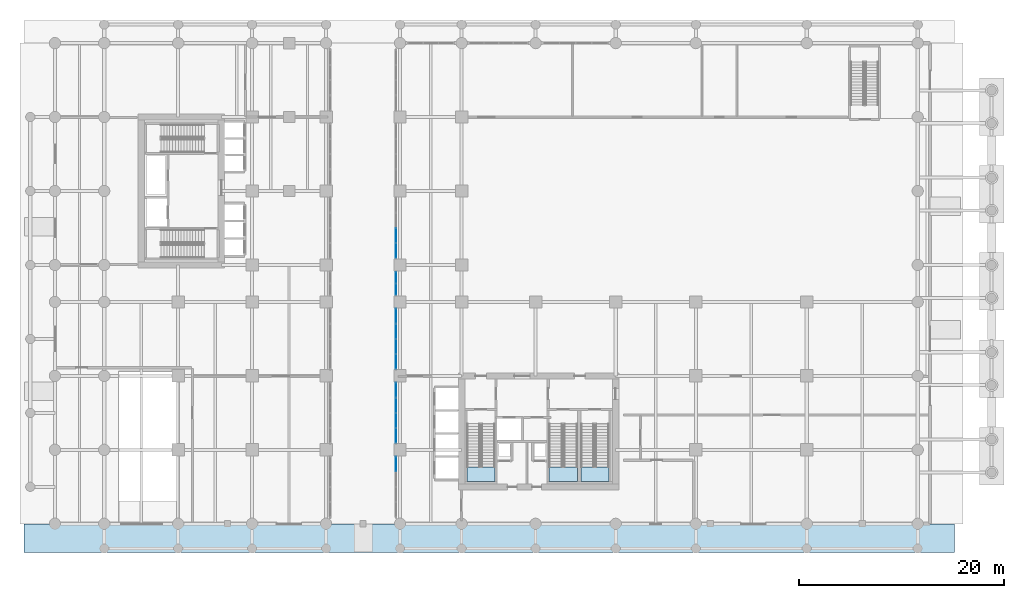
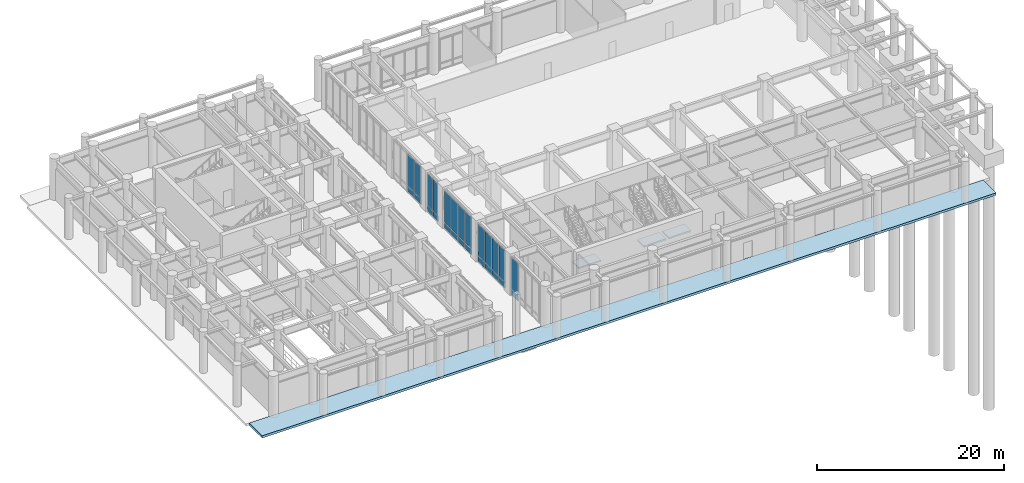
# One storey, part 11 of 23: 26 plates, 4 slabs, 8 elements without a shape of their own.
"""IFC4 building model written with IfcOpenShell, lengths in metres."""

import ifcopenshell
import ifcopenshell.guid

model = None  # the IFC model being written
_history = None  # IfcOwnerHistory: only IFC2X3 demands one
_inside = {}  # id of a spatial element -> (the spatial element, [elements in it])
_under = {}  # id of a project, library or spatial element -> (it, [spatial elements below it])
_declared = {}  # id of a project -> (the project, [libraries it declares])
_typed = {}  # id of a type object -> (the type object, [elements of that type])
_made_of = {}  # id of a material, layer set ... -> (it, [elements and type objects made of it])


def new_model(schema):
    """Start an empty IFC model of exactly this schema.

    Asked for "IFC4X3", IfcOpenShell would pick the latest addendum, in which some entities
    have other attributes; the version numbers below select the first issue.
    IFC2X3 requires an IfcOwnerHistory on every rooted entity: one is made here for all.
    """
    global model, _history
    if schema == "IFC4X3":
        model = ifcopenshell.file(schema_version=(4, 3, 0, 0))
    else:
        model = ifcopenshell.file(schema=schema)
    _inside.clear()
    _under.clear()
    _declared.clear()
    _typed.clear()
    _made_of.clear()
    _history = None
    if model.schema == "IFC2X3":
        org = make("IfcOrganization", Name="unknown")
        user = make(
            "IfcPersonAndOrganization",
            ThePerson=make("IfcPerson", FamilyName="unknown"),
            TheOrganization=org,
        )
        app = make(
            "IfcApplication",
            ApplicationDeveloper=org,
            Version="unknown",
            ApplicationFullName="unknown",
            ApplicationIdentifier="unknown",
        )
        _history = make(
            "IfcOwnerHistory",
            OwningUser=user,
            OwningApplication=app,
            ChangeAction="ADDED",
            CreationDate=0,
        )
    return model


def make(cls, **values):
    """One entity of the class cls with the attributes given. An attribute that is None is left unset."""
    return model.create_entity(
        cls, **{name: value for name, value in values.items() if value is not None}
    )


def rooted(cls, **values):
    """An entity with a GlobalId (a new one), such as an element, a storey or a relation."""
    return make(cls, GlobalId=ifcopenshell.guid.new(), OwnerHistory=_history, **values)


def si_unit(unit_type, name, prefix=None):
    """IfcSIUnit, for example si_unit("LENGTHUNIT", "METRE", prefix="MILLI")."""
    return make("IfcSIUnit", UnitType=unit_type, Prefix=prefix, Name=name)


def derived_unit(unit_type, elements):
    """IfcDerivedUnit: a product of units, each with its exponent."""
    return make(
        "IfcDerivedUnit",
        Elements=[
            make("IfcDerivedUnitElement", Unit=unit, Exponent=power)
            for unit, power in elements
        ],
        UnitType=unit_type,
    )


def assignment(units):
    """IfcUnitAssignment: the units of a project."""
    return None if units is None else make("IfcUnitAssignment", Units=units)


def point(xyz):
    """IfcCartesianPoint."""
    return None if xyz is None else make("IfcCartesianPoint", Coordinates=xyz)


def direction(xyz):
    """IfcDirection."""
    return None if xyz is None else make("IfcDirection", DirectionRatios=xyz)


def frame(location, z_axis=None, x_axis=None):
    """IfcAxis2Placement3D, a coordinate frame: its origin and axes. An axis left out is left unset."""
    return make(
        "IfcAxis2Placement3D",
        Location=point(location),
        Axis=direction(z_axis),
        RefDirection=direction(x_axis),
    )


def frame_2d(location, x_axis=None):
    """IfcAxis2Placement2D, a coordinate frame in the plane: its origin and x axis."""
    return make(
        "IfcAxis2Placement2D", Location=point(location), RefDirection=direction(x_axis)
    )


def origin():
    """The frame at (0, 0, 0) with its axes left unset."""
    return frame((0.0, 0.0, 0.0))


def origin_2d():
    """The frame at (0, 0) in the plane with its x axis left unset."""
    return frame_2d((0.0, 0.0))


def place(relative_to, where):
    """IfcLocalPlacement: puts the frame where relative to a parent placement (None: the world)."""
    return make(
        "IfcLocalPlacement", PlacementRelTo=relative_to, RelativePlacement=where
    )


def context(
    kind, dimensions, precision=None, world=None, true_north=None, identifier=None
):
    """IfcGeometricRepresentationContext, for example the 3D "Model" context."""
    return make(
        "IfcGeometricRepresentationContext",
        ContextIdentifier=identifier,
        ContextType=kind,
        CoordinateSpaceDimension=dimensions,
        Precision=precision,
        WorldCoordinateSystem=world,
        TrueNorth=true_north,
    )


def subcontext(parent, identifier, kind, view, scale=None):
    """IfcGeometricRepresentationSubContext, for example "Body" below "Model"."""
    return make(
        "IfcGeometricRepresentationSubContext",
        ContextIdentifier=identifier,
        ContextType=kind,
        ParentContext=parent,
        TargetScale=scale,
        TargetView=view,
    )


def project(units=None, contexts=None):
    """IfcProject with its units and contexts."""
    return rooted(
        "IfcProject",
        Name="project",
        RepresentationContexts=contexts,
        UnitsInContext=assignment(units),
    )


def spatial(cls, under=None, at=None, **own):
    """A site, building, storey or space (cls), placed at a placement, below another one or the project."""
    s = rooted(cls, ObjectPlacement=at, **own)
    if under is not None:
        _under.setdefault(under.id(), (under, []))[1].append(s)
    return s


def polyline(points):
    """IfcPolyline through the points."""
    return make("IfcPolyline", Points=[point(p) for p in points])


def profile(cls, at=None, kind="AREA", **sizes):
    """A parametric profile (cls). Its sizes go by their IFC names, for example OverallWidth=200.0."""
    return make(cls, ProfileType=kind, Position=at, **sizes)


def rectangle(**sizes):
    """IfcRectangleProfileDef."""
    return profile("IfcRectangleProfileDef", **sizes)


def outline(outer, holes=None, kind="AREA"):
    """IfcArbitraryClosedProfileDef: a profile drawn as a closed curve; with holes, ...WithVoids."""
    if holes is None:
        return make("IfcArbitraryClosedProfileDef", ProfileType=kind, OuterCurve=outer)
    return make(
        "IfcArbitraryProfileDefWithVoids",
        ProfileType=kind,
        OuterCurve=outer,
        InnerCurves=holes,
    )


def extrude(swept, where, along, depth):
    """IfcExtrudedAreaSolid: the profile swept, set in the frame where, extruded along a direction by depth."""
    return make(
        "IfcExtrudedAreaSolid",
        SweptArea=swept,
        Position=where,
        ExtrudedDirection=direction(along),
        Depth=depth,
    )


def shape(context_of_items, identifier, shape_type, items):
    """IfcShapeRepresentation: the items that make up one representation, for example the "Body"."""
    return make(
        "IfcShapeRepresentation",
        ContextOfItems=context_of_items,
        RepresentationIdentifier=identifier,
        RepresentationType=shape_type,
        Items=items,
    )


def source(mapping_origin, context_of_items, identifier, shape_type, items):
    """IfcRepresentationMap: a shape defined once, which mapped items show again and again."""
    return make(
        "IfcRepresentationMap",
        MappingOrigin=mapping_origin,
        MappedRepresentation=shape(context_of_items, identifier, shape_type, items),
    )


def transform(
    local_origin,
    x_axis=None,
    y_axis=None,
    z_axis=None,
    scale=None,
    scale2=None,
    scale3=None,
    uniform=True,
):
    """IfcCartesianTransformationOperator3D, or its non-uniform kind. x_axis, y_axis, z_axis: its Axis1, 2, 3."""
    if uniform:
        return make(
            "IfcCartesianTransformationOperator3D",
            Axis1=direction(x_axis),
            Axis2=direction(y_axis),
            LocalOrigin=point(local_origin),
            Scale=scale,
            Axis3=direction(z_axis),
        )
    return make(
        "IfcCartesianTransformationOperator3DnonUniform",
        Axis1=direction(x_axis),
        Axis2=direction(y_axis),
        LocalOrigin=point(local_origin),
        Scale=scale,
        Axis3=direction(z_axis),
        Scale2=scale2,
        Scale3=scale3,
    )


def mapped(mapping_source, mapping_target):
    """IfcMappedItem: shows the shape of a source again, moved by a transform."""
    return make(
        "IfcMappedItem", MappingSource=mapping_source, MappingTarget=mapping_target
    )


def material(Name=None, Category=None):
    """IfcMaterial."""
    return make("IfcMaterial", Name=Name, Category=Category)


def layer(
    of_material, thickness, ventilated=None, Name=None, Category=None, Priority=None
):
    """IfcMaterialLayer: one layer of a wall or slab, of a material (None: an air gap)."""
    return make(
        "IfcMaterialLayer",
        Material=of_material,
        LayerThickness=thickness,
        IsVentilated=ventilated,
        Name=Name,
        Category=Category,
        Priority=Priority,
    )


def layer_set(layers, Name=None):
    """IfcMaterialLayerSet."""
    return make("IfcMaterialLayerSet", MaterialLayers=layers, LayerSetName=Name)


def made_of(thing, what):
    """Note that an element or type object is made of a material, layer set ...; save() writes the relation."""
    if what is not None:
        _made_of.setdefault(what.id(), (what, []))[1].append(thing)
    return thing


def type_object(cls, material=None, **own):
    """A type object (cls), such as IfcWallType, which elements share."""
    return made_of(rooted(cls, **own), material)


def element(
    cls,
    number,
    at=None,
    inside=None,
    cuts=None,
    type_object=None,
    material=None,
    context=None,
    identifier="Body",
    shape_type=None,
    held_by="IfcProductDefinitionShape",
    body=None,
    shapes=None,
    **own,
):
    """One element of the class cls, such as IfcWall. Its Tag is "e" and its number.

    at: its placement. inside: the storey or other place that contains it. cuts: it is an
    opening in that element (IfcRelVoidsElement). A single representation is given by context,
    identifier, shape_type and body (its items); several are given by shapes. held_by: the class
    of the entity that holds the representations. save() writes the other relations.
    """
    e = rooted(cls, Tag="e%d" % number, ObjectPlacement=at, **own)
    if body is not None:
        shapes = [shape(context, identifier, shape_type, body)]
    if shapes is not None:
        e.Representation = make(held_by, Representations=shapes)
    if inside is not None:
        _inside.setdefault(inside.id(), (inside, []))[1].append(e)
    if cuts is not None:
        rooted(
            "IfcRelVoidsElement", RelatingBuildingElement=cuts, RelatedOpeningElement=e
        )
    if type_object is not None:
        _typed.setdefault(type_object.id(), (type_object, []))[1].append(e)
    return made_of(e, material)


def aggregate(whole, parts):
    """IfcRelAggregates: a whole, such as a stair, and the parts it consists of."""
    return rooted("IfcRelAggregates", RelatingObject=whole, RelatedObjects=parts)


def save(model, path):
    """Write the relations noted so far, then the file.

    IfcRelAggregates (storeys below a building ...), IfcRelContainedInSpatialStructure (elements
    in a storey), IfcRelDefinesByType, IfcRelAssociatesMaterial and IfcRelDeclares: one each for
    every whole, place, type object, material and project.
    """
    for whole, parts in _under.values():
        aggregate(whole, parts)
    for where, things in _inside.values():
        rooted(
            "IfcRelContainedInSpatialStructure",
            RelatedElements=things,
            RelatingStructure=where,
        )
    for kind, things in _typed.values():
        rooted("IfcRelDefinesByType", RelatedObjects=things, RelatingType=kind)
    for what, things in _made_of.values():
        rooted("IfcRelAssociatesMaterial", RelatedObjects=things, RelatingMaterial=what)
    for by, libraries in _declared.values():
        rooted("IfcRelDeclares", RelatingContext=by, RelatedDefinitions=libraries)
    model.write(path)


model = new_model("IFC4")

# Units and contexts
model_context = context("Model", 3, precision=1e-05, world=origin(), true_north=direction((0.0, 1.0)))
body_context = subcontext(model_context, "Body", "Model", "MODEL_VIEW")
ifc_project = project(units=[si_unit("LENGTHUNIT", "METRE"), si_unit("AREAUNIT", "SQUARE_METRE"), si_unit("VOLUMEUNIT", "CUBIC_METRE"), si_unit("PLANEANGLEUNIT", "RADIAN"), si_unit("MASSUNIT", "GRAM", prefix="KILO"), si_unit("THERMODYNAMICTEMPERATUREUNIT", "KELVIN"), si_unit("POWERUNIT", "WATT"), derived_unit("THERMALTRANSMITTANCEUNIT", [(si_unit("POWERUNIT", "WATT"), 1), (si_unit("AREAUNIT", "SQUARE_METRE"), -1), (si_unit("THERMODYNAMICTEMPERATUREUNIT", "KELVIN"), -1)])], contexts=[model_context])

# Site, building, storey
site_placement = place(None, origin())
site = spatial("IfcSite", under=ifc_project, at=site_placement, CompositionType="ELEMENT")
building_placement = place(site_placement, origin())
building = spatial("IfcBuilding", under=site, at=building_placement, Name="Zahravan Archway Hotel and Residences", CompositionType="ELEMENT")
storey_placement = place(building_placement, origin())
storey = spatial("IfcBuildingStorey", under=building, at=storey_placement, Name="L00", CompositionType="ELEMENT", Elevation=0.0)

# Slab
ifc_material_1 = material(Name="Concrete C50/60", Category="concrete")
ifc_layer_1 = layer(ifc_material_1, 0.300048828125, Name="Concrete C50/60", Category="concrete")
ifc_layer_set_1 = layer_set([ifc_layer_1], Name="Concrete C50/60")
slab_type_1 = type_object("IfcSlabType", Name="SLB-FLR-300", PredefinedType="FLOOR", material=ifc_layer_set_1)
slab_1_placement = place(storey_placement, frame((0.0, 0.0, -0.300048828125)))
element("IfcSlab", 1, at=slab_1_placement, inside=storey, type_object=slab_type_1, Name="South Station Forecourt Plaza Slab", PredefinedType="BASESLAB", context=body_context, shape_type="SweptSolid", body=[
    extrude(outline(polyline([(-7.800048828125, -2.800048828125), (82.800048828125, -2.800048828125), (82.800048828125, -0.02001953125), (-7.800048828125, -0.02001953125), (-7.800048828125, -2.800048828125)])), origin(), (0.0, 0.0, 1.0), 0.300048828125),
])

# Stair, slab
stair_type = type_object("IfcStairType", Name="STR-CORE-1300", PredefinedType="HALF_TURN_STAIR", material=ifc_material_1)
stair_1_placement = place(storey_placement, origin())
stair_1 = element("IfcStair", 2, at=stair_1_placement, inside=storey, type_object=stair_type, Name="L00 Core A Exit Stair 1", PredefinedType="HALF_TURN_STAIR")
ifc_layer_2 = layer(ifc_material_1, 0.199951171875, Name="Concrete C50/60", Category="concrete")
ifc_layer_set_2 = layer_set([ifc_layer_2], Name="Concrete C50/60")
slab_type_2 = type_object("IfcSlabType", Name="SLB-LND-200", PredefinedType="LANDING", material=ifc_layer_set_2)
slab_2_placement = place(storey_placement, frame((0.0, 0.0, 2.5)))
slab_2 = element("IfcSlab", 3, at=slab_2_placement, type_object=slab_type_2, Name="ST-A1 landing 1", PredefinedType="LANDING", context=body_context, shape_type="SweptSolid", body=[
    extrude(outline(polyline([(35.300048828125, 5.530029296875), (35.300048828125, 4.10009765625), (38.0400390625, 4.10009765625), (38.0400390625, 5.530029296875), (35.300048828125, 5.530029296875)])), origin(), (0.0, 0.0, 1.0), 0.199951171875),
])
aggregate(stair_1, [slab_2])

stair_2_placement = place(storey_placement, origin())
stair_2 = element("IfcStair", 4, at=stair_2_placement, inside=storey, type_object=stair_type, Name="L00 Core A Exit Stair 2", PredefinedType="HALF_TURN_STAIR")
slab_3_placement = place(storey_placement, frame((0.0, 0.0, 2.5)))
slab_3 = element("IfcSlab", 5, at=slab_3_placement, type_object=slab_type_2, Name="ST-A2 landing 1", PredefinedType="LANDING", context=body_context, shape_type="SweptSolid", body=[
    extrude(outline(polyline([(43.320068359375, 5.530029296875), (43.320068359375, 4.10009765625), (46.06005859375, 4.10009765625), (46.06005859375, 5.530029296875), (43.320068359375, 5.530029296875)])), origin(), (0.0, 0.0, 1.0), 0.199951171875),
])
aggregate(stair_2, [slab_3])

stair_3_placement = place(storey_placement, origin())
stair_3 = element("IfcStair", 6, at=stair_3_placement, inside=storey, type_object=stair_type, Name="L00 Core A Exit Stair 3", PredefinedType="HALF_TURN_STAIR")
slab_4_placement = place(storey_placement, frame((0.0, 0.0, 2.5)))
slab_4 = element("IfcSlab", 7, at=slab_4_placement, type_object=slab_type_2, Name="ST-A3 landing 1", PredefinedType="LANDING", context=body_context, shape_type="SweptSolid", body=[
    extrude(outline(polyline([(46.39990234375, 5.530029296875), (46.39990234375, 4.10009765625), (49.139892578125, 4.10009765625), (49.139892578125, 5.530029296875), (46.39990234375, 5.530029296875)])), origin(), (0.0, 0.0, 1.0), 0.199951171875),
])
aggregate(stair_3, [slab_4])

# Curtain wall, plate
ifc_material_2 = material(Name="Bronze-Anodized Unitised Aluminium & Low-E Glass", Category="aluminium")
ifc_layer_3 = layer(ifc_material_2, 0.179931640625, Name="Bronze-Anodized Unitised Aluminium & Low-E Glass", Category="aluminium")
ifc_layer_set_3 = layer_set([ifc_layer_3], Name="Bronze-Anodized Unitised Aluminium & Low-E Glass")
curtain_wall_type = type_object("IfcCurtainWallType", Name="CW-POD-ARCH", PredefinedType="NOTDEFINED", material=ifc_layer_set_3)
curtain_wall_1_placement = place(storey_placement, origin())
curtain_wall_1 = element("IfcCurtainWall", 8, at=curtain_wall_1_placement, inside=storey, type_object=curtain_wall_type, Name="L00 Curtain Wall CW-PORTE-L00-1", PredefinedType="NOTDEFINED")
ifc_material_3 = material(Name="Insulated Terracotta Spandrel Panel", Category="masonry")
ifc_layer_4 = layer(ifc_material_3, 0.0400390625, Name="Insulated Terracotta Spandrel Panel", Category="masonry")
ifc_layer_set_4 = layer_set([ifc_layer_4], Name="Insulated Terracotta Spandrel Panel")
plate_type_1 = type_object("IfcPlateType", Name="CWP-SPN-40", PredefinedType="SHEET", material=ifc_layer_set_4)
shared_shape_1 = source(origin(), body_context, "Body", "SweptSolid", [
    extrude(rectangle(XDim=1.3974609375, YDim=0.0400390625, at=origin_2d()), origin(), (0.0, 0.0, 1.0), 0.7099609375),
])
plate_1_placement = place(storey_placement, frame((28.39990234375, 5.816162109375, 0.10009765625), z_axis=(0.0, 0.0, 1.0), x_axis=(0.0, 1.0, 0.0)))
plate_1 = element("IfcPlate", 9, at=plate_1_placement, type_object=plate_type_1, Name="CW-PORTE-L00-1 Spandrel Panel 3", PredefinedType="SHEET", context=body_context, shape_type="MappedRepresentation", body=[
    mapped(shared_shape_1, transform((0.0, 0.0, 0.0), scale=1.0)),
])

# Curtain wall, plates
curtain_wall_2_placement = place(storey_placement, origin())
curtain_wall_2 = element("IfcCurtainWall", 10, at=curtain_wall_2_placement, inside=storey, type_object=curtain_wall_type, Name="L00 Curtain Wall CW-PORTE-L00-2", PredefinedType="NOTDEFINED")
plate_2_placement = place(storey_placement, frame((28.39990234375, 8.583984375, 0.10009765625), z_axis=(0.0, 0.0, 1.0), x_axis=(0.0, 1.0, 0.0)))
plate_2 = element("IfcPlate", 11, at=plate_2_placement, type_object=plate_type_1, Name="CW-PORTE-L00-2 Spandrel Panel 0", PredefinedType="SHEET", context=body_context, shape_type="MappedRepresentation", body=[
    mapped(shared_shape_1, transform((0.0, 0.0, 0.0), scale=1.0)),
])
plate_3_placement = place(storey_placement, frame((28.39990234375, 10.061279296875, 0.10009765625), z_axis=(0.0, 0.0, 1.0), x_axis=(0.0, 1.0, 0.0)))
plate_3 = element("IfcPlate", 12, at=plate_3_placement, type_object=plate_type_1, Name="CW-PORTE-L00-2 Spandrel Panel 1", PredefinedType="SHEET", context=body_context, shape_type="MappedRepresentation", body=[
    mapped(shared_shape_1, transform((0.0, 0.0, 0.0), scale=1.0)),
])
plate_4_placement = place(storey_placement, frame((28.39990234375, 11.538818359375, 0.10009765625), z_axis=(0.0, 0.0, 1.0), x_axis=(0.0, 1.0, 0.0)))
plate_4 = element("IfcPlate", 13, at=plate_4_placement, type_object=plate_type_1, Name="CW-PORTE-L00-2 Spandrel Panel 2", PredefinedType="SHEET", context=body_context, shape_type="MappedRepresentation", body=[
    mapped(shared_shape_1, transform((0.0, 0.0, 0.0), scale=1.0)),
])
plate_5_placement = place(storey_placement, frame((28.39990234375, 13.01611328125, 0.10009765625), z_axis=(0.0, 0.0, 1.0), x_axis=(0.0, 1.0, 0.0)))
plate_5 = element("IfcPlate", 14, at=plate_5_placement, type_object=plate_type_1, Name="CW-PORTE-L00-2 Spandrel Panel 3", PredefinedType="SHEET", context=body_context, shape_type="MappedRepresentation", body=[
    mapped(shared_shape_1, transform((0.0, 0.0, 0.0), scale=1.0)),
])

curtain_wall_3_placement = place(storey_placement, origin())
curtain_wall_3 = element("IfcCurtainWall", 15, at=curtain_wall_3_placement, inside=storey, type_object=curtain_wall_type, Name="L00 Curtain Wall CW-PORTE-L00-3", PredefinedType="NOTDEFINED")
plate_6_placement = place(storey_placement, frame((28.39990234375, 15.783935546875, 0.10009765625), z_axis=(0.0, 0.0, 1.0), x_axis=(0.0, 1.0, 0.0)))
plate_6 = element("IfcPlate", 16, at=plate_6_placement, type_object=plate_type_1, Name="CW-PORTE-L00-3 Spandrel Panel 0", PredefinedType="SHEET", context=body_context, shape_type="MappedRepresentation", body=[
    mapped(shared_shape_1, transform((0.0, 0.0, 0.0), scale=1.0)),
])
plate_7_placement = place(storey_placement, frame((28.39990234375, 17.26123046875, 0.10009765625), z_axis=(0.0, 0.0, 1.0), x_axis=(0.0, 1.0, 0.0)))
plate_7 = element("IfcPlate", 17, at=plate_7_placement, type_object=plate_type_1, Name="CW-PORTE-L00-3 Spandrel Panel 1", PredefinedType="SHEET", context=body_context, shape_type="MappedRepresentation", body=[
    mapped(shared_shape_1, transform((0.0, 0.0, 0.0), scale=1.0)),
])
plate_8_placement = place(storey_placement, frame((28.39990234375, 18.73876953125, 0.10009765625), z_axis=(0.0, 0.0, 1.0), x_axis=(0.0, 1.0, 0.0)))
plate_8 = element("IfcPlate", 18, at=plate_8_placement, type_object=plate_type_1, Name="CW-PORTE-L00-3 Spandrel Panel 2", PredefinedType="SHEET", context=body_context, shape_type="MappedRepresentation", body=[
    mapped(shared_shape_1, transform((0.0, 0.0, 0.0), scale=1.0)),
])
plate_9_placement = place(storey_placement, frame((28.39990234375, 20.216064453125, 0.10009765625), z_axis=(0.0, 0.0, 1.0), x_axis=(0.0, 1.0, 0.0)))
plate_9 = element("IfcPlate", 19, at=plate_9_placement, type_object=plate_type_1, Name="CW-PORTE-L00-3 Spandrel Panel 3", PredefinedType="SHEET", context=body_context, shape_type="MappedRepresentation", body=[
    mapped(shared_shape_1, transform((0.0, 0.0, 0.0), scale=1.0)),
])

curtain_wall_4_placement = place(storey_placement, origin())
curtain_wall_4 = element("IfcCurtainWall", 20, at=curtain_wall_4_placement, inside=storey, type_object=curtain_wall_type, Name="L00 Curtain Wall CW-PORTE-L00-5", PredefinedType="NOTDEFINED")
plate_10_placement = place(storey_placement, frame((28.39990234375, 26.583984375, 0.10009765625), z_axis=(0.0, 0.0, 1.0), x_axis=(0.0, 1.0, 0.0)))
plate_10 = element("IfcPlate", 21, at=plate_10_placement, type_object=plate_type_1, Name="CW-PORTE-L00-5 Spandrel Panel 0", PredefinedType="SHEET", context=body_context, shape_type="MappedRepresentation", body=[
    mapped(shared_shape_1, transform((0.0, 0.0, 0.0), scale=1.0)),
])
plate_11_placement = place(storey_placement, frame((28.39990234375, 28.061279296875, 0.10009765625), z_axis=(0.0, 0.0, 1.0), x_axis=(0.0, 1.0, 0.0)))
plate_11 = element("IfcPlate", 22, at=plate_11_placement, type_object=plate_type_1, Name="CW-PORTE-L00-5 Spandrel Panel 1", PredefinedType="SHEET", context=body_context, shape_type="MappedRepresentation", body=[
    mapped(shared_shape_1, transform((0.0, 0.0, 0.0), scale=1.0)),
])

# Plate
ifc_material_4 = material(Name="Double-Silver Low-E Insulated Vision Glass", Category="glass")
ifc_layer_5 = layer(ifc_material_4, 0.028076171875, Name="Double-Silver Low-E Insulated Vision Glass", Category="glass")
ifc_layer_set_5 = layer_set([ifc_layer_5], Name="Double-Silver Low-E Insulated Vision Glass")
plate_type_2 = type_object("IfcPlateType", Name="CWP-GLZ-28", PredefinedType="CURTAIN_PANEL", material=ifc_layer_set_5)
shared_shape_2 = source(origin(), body_context, "Body", "SweptSolid", [
    extrude(rectangle(XDim=1.3974609375, YDim=0.028076171875, at=origin_2d()), origin(), (0.0, 0.0, 1.0), 4.110107421875),
])
plate_12_placement = place(storey_placement, frame((28.39990234375, 5.816162109375, 0.89013671875), z_axis=(0.0, 0.0, 1.0), x_axis=(0.0, 1.0, 0.0)))
plate_12 = element("IfcPlate", 23, at=plate_12_placement, type_object=plate_type_2, Name="CW-PORTE-L00-1 Low-E Vision Panel 3", PredefinedType="CURTAIN_PANEL", context=body_context, shape_type="MappedRepresentation", body=[
    mapped(shared_shape_2, transform((0.0, 0.0, 0.0), scale=1.0)),
])

aggregate(curtain_wall_1, [plate_1, plate_12])

plate_13_placement = place(storey_placement, frame((28.39990234375, 8.583984375, 0.89013671875), z_axis=(0.0, 0.0, 1.0), x_axis=(0.0, 1.0, 0.0)))
plate_13 = element("IfcPlate", 24, at=plate_13_placement, type_object=plate_type_2, Name="CW-PORTE-L00-2 Low-E Vision Panel 0", PredefinedType="CURTAIN_PANEL", context=body_context, shape_type="MappedRepresentation", body=[
    mapped(shared_shape_2, transform((0.0, 0.0, 0.0), scale=1.0)),
])

plate_14_placement = place(storey_placement, frame((28.39990234375, 10.061279296875, 0.89013671875), z_axis=(0.0, 0.0, 1.0), x_axis=(0.0, 1.0, 0.0)))
plate_14 = element("IfcPlate", 25, at=plate_14_placement, type_object=plate_type_2, Name="CW-PORTE-L00-2 Low-E Vision Panel 1", PredefinedType="CURTAIN_PANEL", context=body_context, shape_type="MappedRepresentation", body=[
    mapped(shared_shape_2, transform((0.0, 0.0, 0.0), scale=1.0)),
])

plate_15_placement = place(storey_placement, frame((28.39990234375, 11.538818359375, 0.89013671875), z_axis=(0.0, 0.0, 1.0), x_axis=(0.0, 1.0, 0.0)))
plate_15 = element("IfcPlate", 26, at=plate_15_placement, type_object=plate_type_2, Name="CW-PORTE-L00-2 Low-E Vision Panel 2", PredefinedType="CURTAIN_PANEL", context=body_context, shape_type="MappedRepresentation", body=[
    mapped(shared_shape_2, transform((0.0, 0.0, 0.0), scale=1.0)),
])

plate_16_placement = place(storey_placement, frame((28.39990234375, 13.01611328125, 0.89013671875), z_axis=(0.0, 0.0, 1.0), x_axis=(0.0, 1.0, 0.0)))
plate_16 = element("IfcPlate", 27, at=plate_16_placement, type_object=plate_type_2, Name="CW-PORTE-L00-2 Low-E Vision Panel 3", PredefinedType="CURTAIN_PANEL", context=body_context, shape_type="MappedRepresentation", body=[
    mapped(shared_shape_2, transform((0.0, 0.0, 0.0), scale=1.0)),
])

aggregate(curtain_wall_2, [plate_2, plate_13, plate_3, plate_14, plate_4, plate_15, plate_5, plate_16])

plate_17_placement = place(storey_placement, frame((28.39990234375, 15.783935546875, 0.89013671875), z_axis=(0.0, 0.0, 1.0), x_axis=(0.0, 1.0, 0.0)))
plate_17 = element("IfcPlate", 28, at=plate_17_placement, type_object=plate_type_2, Name="CW-PORTE-L00-3 Low-E Vision Panel 0", PredefinedType="CURTAIN_PANEL", context=body_context, shape_type="MappedRepresentation", body=[
    mapped(shared_shape_2, transform((0.0, 0.0, 0.0), scale=1.0)),
])

plate_18_placement = place(storey_placement, frame((28.39990234375, 17.26123046875, 0.89013671875), z_axis=(0.0, 0.0, 1.0), x_axis=(0.0, 1.0, 0.0)))
plate_18 = element("IfcPlate", 29, at=plate_18_placement, type_object=plate_type_2, Name="CW-PORTE-L00-3 Low-E Vision Panel 1", PredefinedType="CURTAIN_PANEL", context=body_context, shape_type="MappedRepresentation", body=[
    mapped(shared_shape_2, transform((0.0, 0.0, 0.0), scale=1.0)),
])

plate_19_placement = place(storey_placement, frame((28.39990234375, 18.73876953125, 0.89013671875), z_axis=(0.0, 0.0, 1.0), x_axis=(0.0, 1.0, 0.0)))
plate_19 = element("IfcPlate", 30, at=plate_19_placement, type_object=plate_type_2, Name="CW-PORTE-L00-3 Low-E Vision Panel 2", PredefinedType="CURTAIN_PANEL", context=body_context, shape_type="MappedRepresentation", body=[
    mapped(shared_shape_2, transform((0.0, 0.0, 0.0), scale=1.0)),
])

plate_20_placement = place(storey_placement, frame((28.39990234375, 20.216064453125, 0.89013671875), z_axis=(0.0, 0.0, 1.0), x_axis=(0.0, 1.0, 0.0)))
plate_20 = element("IfcPlate", 31, at=plate_20_placement, type_object=plate_type_2, Name="CW-PORTE-L00-3 Low-E Vision Panel 3", PredefinedType="CURTAIN_PANEL", context=body_context, shape_type="MappedRepresentation", body=[
    mapped(shared_shape_2, transform((0.0, 0.0, 0.0), scale=1.0)),
])

aggregate(curtain_wall_3, [plate_6, plate_17, plate_7, plate_18, plate_8, plate_19, plate_9, plate_20])

plate_21_placement = place(storey_placement, frame((28.39990234375, 26.583984375, 0.89013671875), z_axis=(0.0, 0.0, 1.0), x_axis=(0.0, 1.0, 0.0)))
plate_21 = element("IfcPlate", 32, at=plate_21_placement, type_object=plate_type_2, Name="CW-PORTE-L00-5 Low-E Vision Panel 0", PredefinedType="CURTAIN_PANEL", context=body_context, shape_type="MappedRepresentation", body=[
    mapped(shared_shape_2, transform((0.0, 0.0, 0.0), scale=1.0)),
])

plate_22_placement = place(storey_placement, frame((28.39990234375, 28.061279296875, 0.89013671875), z_axis=(0.0, 0.0, 1.0), x_axis=(0.0, 1.0, 0.0)))
plate_22 = element("IfcPlate", 33, at=plate_22_placement, type_object=plate_type_2, Name="CW-PORTE-L00-5 Low-E Vision Panel 1", PredefinedType="CURTAIN_PANEL", context=body_context, shape_type="MappedRepresentation", body=[
    mapped(shared_shape_2, transform((0.0, 0.0, 0.0), scale=1.0)),
])

aggregate(curtain_wall_4, [plate_10, plate_21, plate_11, plate_22])

# Curtain wall, plates
curtain_wall_5_placement = place(storey_placement, origin())
curtain_wall_5 = element("IfcCurtainWall", 34, at=curtain_wall_5_placement, inside=storey, type_object=curtain_wall_type, Name="L00 Curtain Wall CW-PORTE-L00-4", PredefinedType="NOTDEFINED")
shared_shape_3 = source(origin(), body_context, "Body", "SweptSolid", [
    extrude(rectangle(XDim=1.07470703125, YDim=0.0400390625, at=origin_2d()), origin(), (0.0, 0.0, 1.0), 0.7099609375),
])
plate_23_placement = place(storey_placement, frame((28.39990234375, 22.822509765625, 0.10009765625), z_axis=(0.0, 0.0, 1.0), x_axis=(0.0, 1.0, 0.0)))
plate_23 = element("IfcPlate", 35, at=plate_23_placement, type_object=plate_type_1, Name="CW-PORTE-L00-4 Spandrel Panel 0", PredefinedType="SHEET", context=body_context, shape_type="MappedRepresentation", body=[
    mapped(shared_shape_3, transform((0.0, 0.0, 0.0), scale=1.0)),
])
plate_24_placement = place(storey_placement, frame((28.39990234375, 23.977294921875, 0.10009765625), z_axis=(0.0, 0.0, 1.0), x_axis=(0.0, 1.0, 0.0)))
plate_24 = element("IfcPlate", 36, at=plate_24_placement, type_object=plate_type_1, Name="CW-PORTE-L00-4 Spandrel Panel 1", PredefinedType="SHEET", context=body_context, shape_type="MappedRepresentation", body=[
    mapped(shared_shape_3, transform((0.0, 0.0, 0.0), scale=1.0)),
])
shared_shape_4 = source(origin(), body_context, "Body", "SweptSolid", [
    extrude(rectangle(XDim=1.07470703125, YDim=0.028076171875, at=origin_2d()), origin(), (0.0, 0.0, 1.0), 4.110107421875),
])
plate_25_placement = place(storey_placement, frame((28.39990234375, 22.822509765625, 0.89013671875), z_axis=(0.0, 0.0, 1.0), x_axis=(0.0, 1.0, 0.0)))
plate_25 = element("IfcPlate", 37, at=plate_25_placement, type_object=plate_type_2, Name="CW-PORTE-L00-4 Low-E Vision Panel 0", PredefinedType="CURTAIN_PANEL", context=body_context, shape_type="MappedRepresentation", body=[
    mapped(shared_shape_4, transform((0.0, 0.0, 0.0), scale=1.0)),
])
plate_26_placement = place(storey_placement, frame((28.39990234375, 23.977294921875, 0.89013671875), z_axis=(0.0, 0.0, 1.0), x_axis=(0.0, 1.0, 0.0)))
plate_26 = element("IfcPlate", 38, at=plate_26_placement, type_object=plate_type_2, Name="CW-PORTE-L00-4 Low-E Vision Panel 1", PredefinedType="CURTAIN_PANEL", context=body_context, shape_type="MappedRepresentation", body=[
    mapped(shared_shape_4, transform((0.0, 0.0, 0.0), scale=1.0)),
])
aggregate(curtain_wall_5, [plate_23, plate_25, plate_24, plate_26])

save(model, "model.ifc")
